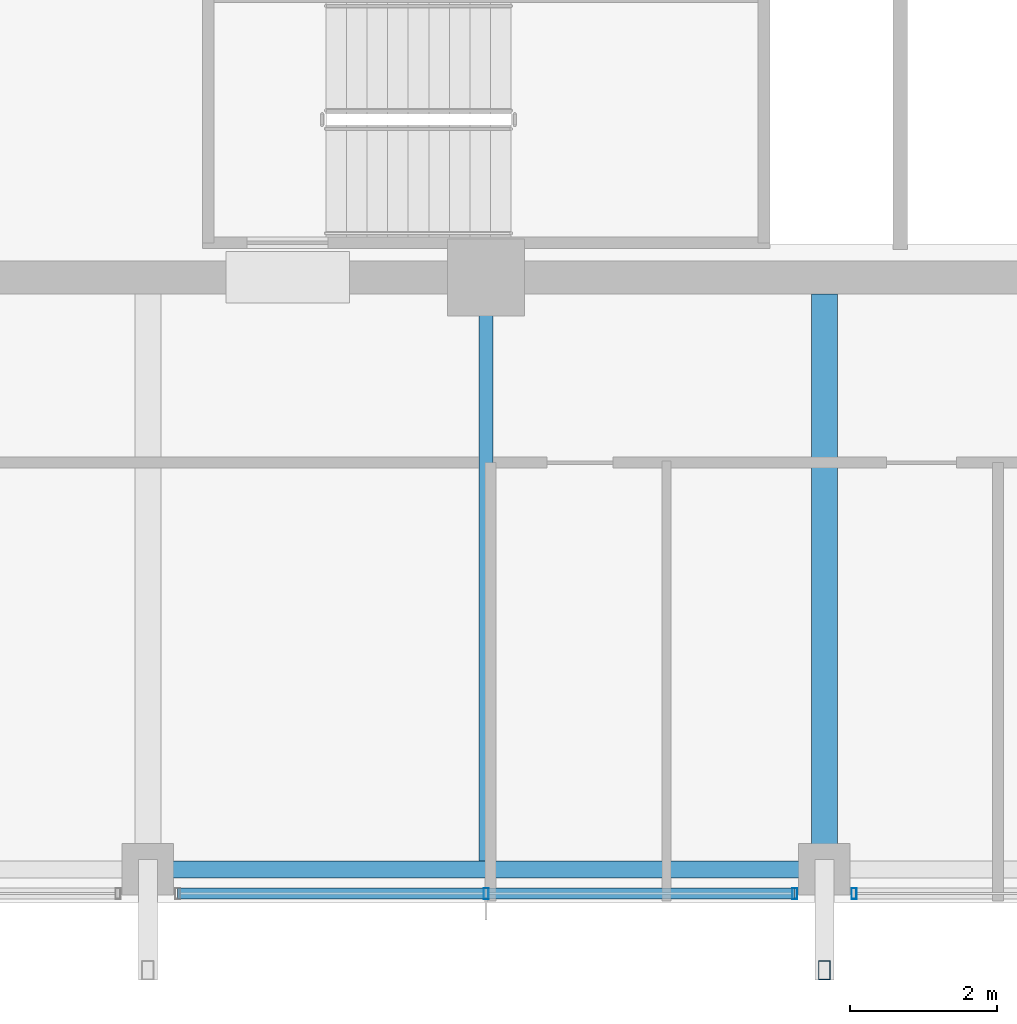
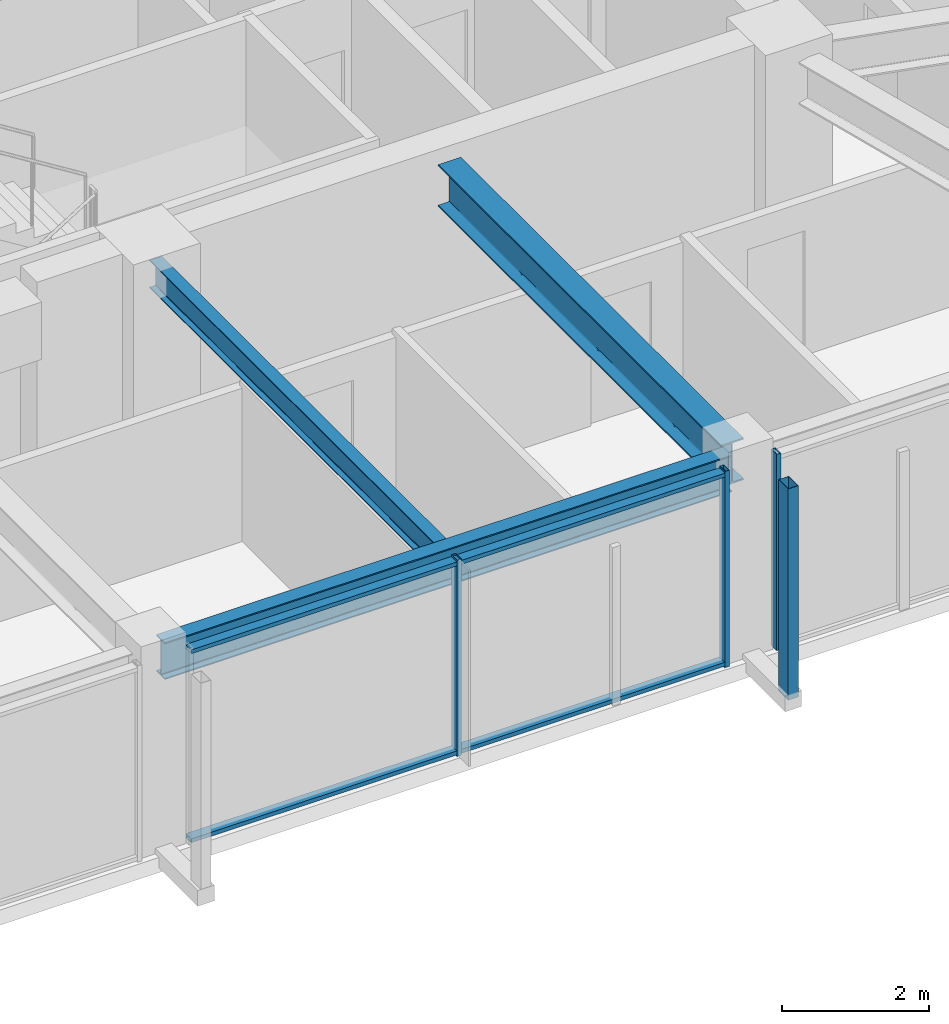
# One storey, part 5 of 29: 6 members, 3 beams, 2 elements without a shape of their own.
"""IFC4 building model written with IfcOpenShell, lengths in metres."""

from ifc_helpers import new_model, si_unit, direction, frame, origin, origin_2d, place, context, subcontext, project, spatial, hollow_rectangle, i_section, extrude, material, material_profile, profile_set, type_object, element, aggregate, save


model = new_model("IFC4")

# Units and contexts
model_context = context("Model", 3, precision=1e-05, world=origin(), true_north=direction((0.0, 1.0)))
body_context = subcontext(model_context, "Body", "Model", "MODEL_VIEW")
ifc_project = project(units=[si_unit("LENGTHUNIT", "METRE"), si_unit("AREAUNIT", "SQUARE_METRE"), si_unit("VOLUMEUNIT", "CUBIC_METRE"), si_unit("PLANEANGLEUNIT", "RADIAN"), si_unit("MASSUNIT", "GRAM", prefix="KILO")], contexts=[model_context])

# Site, building, storey
site_placement = place(None, origin())
site = spatial("IfcSite", under=ifc_project, at=site_placement, CompositionType="ELEMENT")
building_placement = place(site_placement, origin())
building = spatial("IfcBuilding", under=site, at=building_placement, Name="Kolvaren Belvedere", CompositionType="ELEMENT")
storey_placement = place(building_placement, frame((0.0, 0.0, 244.39990234375)))
storey = spatial("IfcBuildingStorey", under=building, at=storey_placement, Name="L71", CompositionType="ELEMENT", Elevation=244.39990234375)

# Beams
ifc_material_1 = material(Name="Structural steel ASTM A992 Grade 50", Category="steel")
ifc_material_profile_1 = material_profile(ifc_material_1, i_section(OverallWidth=0.35498046875, OverallDepth=0.696044921875, WebThickness=0.015380859375, FlangeThickness=0.02490234375, FilletRadius=0.02197265625, at=origin_2d()), Name="W27X146")
ifc_profile_set_1 = profile_set([ifc_material_profile_1], Name="Structural steel ASTM A992 Grade 50")
beam_type_1 = type_object("IfcBeamType", Name="BM-GIRD-W27X146", PredefinedType="BEAM", material=ifc_profile_set_1)
beam_1_placement = place(storey_placement, frame((4.60009765625, -10.125, 2.902099609375), z_axis=(0.0, -1.0, 0.0), x_axis=(1.0, 0.0, 0.0)))
element("IfcBeam", 1, at=beam_1_placement, inside=storey, type_object=beam_type_1, Name="L71 South Radial Girder P", PredefinedType="BEAM", context=body_context, shape_type="SweptSolid", body=[
    extrude(i_section(OverallWidth=0.35498046875, OverallDepth=0.696044921875, WebThickness=0.015380859375, FlangeThickness=0.02490234375, FilletRadius=0.02197265625, at=origin_2d()), origin(), (0.0, 0.0, 1.0), 7.66748046875),
])
ifc_material_2 = material(Name="Structural steel ASTM A992 Grade 50", Category="steel")
ifc_material_profile_2 = material_profile(ifc_material_2, i_section(OverallWidth=0.19091796875, OverallDepth=0.4599609375, WebThickness=0.010009765625, FlangeThickness=0.01611328125, FilletRadius=0.014892578125, at=origin_2d()), Name="W18X55")
ifc_profile_set_2 = profile_set([ifc_material_profile_2], Name="Structural steel ASTM A992 Grade 50")
beam_type_2 = type_object("IfcBeamType", Name="BM-JOIST-W18X55", PredefinedType="BEAM", material=ifc_profile_set_2)
beam_2_placement = place(storey_placement, frame((0.0, -10.125, 3.02001953125), z_axis=(0.0, -1.0, 0.0), x_axis=(1.0, 0.0, 0.0)))
element("IfcBeam", 2, at=beam_2_placement, inside=storey, type_object=beam_type_2, Name="L71 South Centre Floor Beam", PredefinedType="BEAM", context=body_context, shape_type="SweptSolid", body=[
    extrude(i_section(OverallWidth=0.19091796875, OverallDepth=0.4599609375, WebThickness=0.010009765625, FlangeThickness=0.01611328125, FilletRadius=0.014892578125, at=origin_2d()), origin(), (0.0, 0.0, 1.0), 7.71044921875),
])
ifc_material_3 = material(Name="Structural steel ASTM A992 Grade 50", Category="steel")
ifc_material_profile_3 = material_profile(ifc_material_3, i_section(OverallWidth=0.22900390625, OverallDepth=0.612060546875, WebThickness=0.011962890625, FlangeThickness=0.01953125, FilletRadius=0.01806640625, at=origin_2d()), Name="W24X84")
ifc_profile_set_3 = profile_set([ifc_material_profile_3], Name="Structural steel ASTM A992 Grade 50")
beam_type_3 = type_object("IfcBeamType", Name="BM-SPAN-W24X84", PredefinedType="SPANDREL", material=ifc_profile_set_3)
beam_3_placement = place(storey_placement, frame((-4.4423828125, -17.949951171875, 2.944091796875), z_axis=(1.0, 0.0, 0.0), x_axis=(0.0, 1.0, 0.0)))
element("IfcBeam", 3, at=beam_3_placement, inside=storey, type_object=beam_type_3, Name="L71 Perimeter Spandrel S2-S3", PredefinedType="SPANDREL", context=body_context, shape_type="SweptSolid", body=[
    extrude(i_section(OverallWidth=0.22900390625, OverallDepth=0.612060546875, WebThickness=0.011962890625, FlangeThickness=0.01953125, FilletRadius=0.01806640625, at=origin_2d()), origin(), (0.0, 0.0, 1.0), 8.884765625),
])

# Curtain wall, member
ifc_material_4 = material(Name="Anodised pale-metal aluminium AA 6063-T6", Category="aluminium")
curtain_wall_type = type_object("IfcCurtainWallType", Name="CW-Z5-HIGH", PredefinedType="NOTDEFINED", material=ifc_material_4)
curtain_wall_1_placement = place(storey_placement, origin())
curtain_wall_1 = element("IfcCurtainWall", 4, at=curtain_wall_1_placement, inside=storey, type_object=curtain_wall_type, Name="L71 Unitised Curtain Wall FCW-L71-S-B1", PredefinedType="NOTDEFINED")
ifc_material_5 = material(Name="Anodised pale-metal aluminium AA 6063-T6", Category="aluminium")
ifc_material_profile_4 = material_profile(ifc_material_5, hollow_rectangle(XDim=0.070068359375, YDim=0.14990234375, WallThickness=0.004150390625, at=origin_2d()), Name="ALU-MUL-150X70")
ifc_profile_set_4 = profile_set([ifc_material_profile_4], Name="Anodised pale-metal aluminium AA 6063-T6")
member_type_1 = type_object("IfcMemberType", Name="CW-MUL-150", PredefinedType="MULLION", material=ifc_profile_set_4)
member_1_placement = place(storey_placement, frame((5.0048828125, -18.280029296875, 0.0), z_axis=(0.0, 0.0, 1.0), x_axis=(1.0, 0.0, 0.0)))
member_1 = element("IfcMember", 5, at=member_1_placement, type_object=member_type_1, Name="FCW-L71-S-B1 Unitised Mullion 3", PredefinedType="MULLION", context=body_context, shape_type="SweptSolid", body=[
    extrude(hollow_rectangle(XDim=0.070068359375, YDim=0.14990234375, WallThickness=0.004150390625, at=origin_2d()), origin(), (0.0, 0.0, 1.0), 3.25),
])
aggregate(curtain_wall_1, [member_1])

# Curtain wall, members
curtain_wall_2_placement = place(storey_placement, origin())
curtain_wall_2 = element("IfcCurtainWall", 6, at=curtain_wall_2_placement, inside=storey, type_object=curtain_wall_type, Name="L71 Unitised Curtain Wall FCW-L71-S-B2", PredefinedType="NOTDEFINED")
member_2_placement = place(storey_placement, frame((4.195068359375, -18.280029296875, 0.0), z_axis=(0.0, 0.0, 1.0), x_axis=(1.0, 0.0, 0.0)))
member_2 = element("IfcMember", 7, at=member_2_placement, type_object=member_type_1, Name="FCW-L71-S-B2 Unitised Mullion 1", PredefinedType="MULLION", context=body_context, shape_type="SweptSolid", body=[
    extrude(hollow_rectangle(XDim=0.070068359375, YDim=0.14990234375, WallThickness=0.004150390625, at=origin_2d()), origin(), (0.0, 0.0, 1.0), 3.25),
])
member_3_placement = place(storey_placement, frame((0.0, -18.280029296875, 0.0), z_axis=(0.0, 0.0, 1.0), x_axis=(1.0, 0.0, 0.0)))
member_3 = element("IfcMember", 8, at=member_3_placement, type_object=member_type_1, Name="FCW-L71-S-B2 Unitised Mullion 2", PredefinedType="MULLION", context=body_context, shape_type="SweptSolid", body=[
    extrude(hollow_rectangle(XDim=0.070068359375, YDim=0.14990234375, WallThickness=0.004150390625, at=origin_2d()), origin(), (0.0, 0.0, 1.0), 3.25),
])
ifc_material_6 = material(Name="Anodised pale-metal aluminium AA 6063-T6", Category="aluminium")
ifc_material_profile_5 = material_profile(ifc_material_6, hollow_rectangle(XDim=0.06494140625, YDim=0.14990234375, WallThickness=0.00390625, at=origin_2d()), Name="ALU-TRN-150X65")
ifc_profile_set_5 = profile_set([ifc_material_profile_5], Name="Anodised pale-metal aluminium AA 6063-T6")
member_type_2 = type_object("IfcMemberType", Name="CW-TRN-150", PredefinedType="USERDEFINED", material=ifc_profile_set_5)
member_4_placement = place(storey_placement, frame((4.195068359375, -18.280029296875, 0.06005859375), z_axis=(-1.0, 0.0, 0.0), x_axis=(0.0, 0.0, 1.0)))
member_4 = element("IfcMember", 9, at=member_4_placement, type_object=member_type_2, Name="FCW-L71-S-B2 Sill Transom", ObjectType="TRANSOM", PredefinedType="USERDEFINED", context=body_context, shape_type="SweptSolid", body=[
    extrude(hollow_rectangle(XDim=0.06494140625, YDim=0.14990234375, WallThickness=0.00390625, at=origin_2d()), origin(), (0.0, 0.0, 1.0), 8.39013671875),
])
member_5_placement = place(storey_placement, frame((4.195068359375, -18.280029296875, 3.190185546875), z_axis=(-1.0, 0.0, 0.0), x_axis=(0.0, 0.0, 1.0)))
member_5 = element("IfcMember", 10, at=member_5_placement, type_object=member_type_2, Name="FCW-L71-S-B2 Head Transom", ObjectType="TRANSOM", PredefinedType="USERDEFINED", context=body_context, shape_type="SweptSolid", body=[
    extrude(hollow_rectangle(XDim=0.06494140625, YDim=0.14990234375, WallThickness=0.00390625, at=origin_2d()), origin(), (0.0, 0.0, 1.0), 8.39013671875),
])
aggregate(curtain_wall_2, [member_2, member_3, member_4, member_5])

# Member
ifc_material_7 = material(Name="Anodised pale-metal aluminium AA 6063-T6", Category="aluminium")
ifc_material_profile_6 = material_profile(ifc_material_7, hollow_rectangle(XDim=0.159912109375, YDim=0.260009765625, WallThickness=0.006591796875, at=origin_2d()), Name="ALU-PF-260X160")
ifc_profile_set_6 = profile_set([ifc_material_profile_6], Name="Anodised pale-metal aluminium AA 6063-T6")
member_type_3 = type_object("IfcMemberType", Name="PF-FRAME-260", PredefinedType="USERDEFINED", material=ifc_profile_set_6)
member_6_placement = place(storey_placement, frame((4.60009765625, -19.320068359375, 0.0), z_axis=(0.0, 0.0, 1.0), x_axis=(1.0, 0.0, 0.0)))
element("IfcMember", 11, at=member_6_placement, inside=storey, type_object=member_type_3, Name="L71 Outboard Picture-Frame Vertical S1", ObjectType="PICTURE FRAME FIN", PredefinedType="USERDEFINED", context=body_context, shape_type="SweptSolid", body=[
    extrude(hollow_rectangle(XDim=0.159912109375, YDim=0.260009765625, WallThickness=0.006591796875, at=origin_2d()), origin(), (0.0, 0.0, 1.0), 3.5),
])

save(model, "model.ifc")
